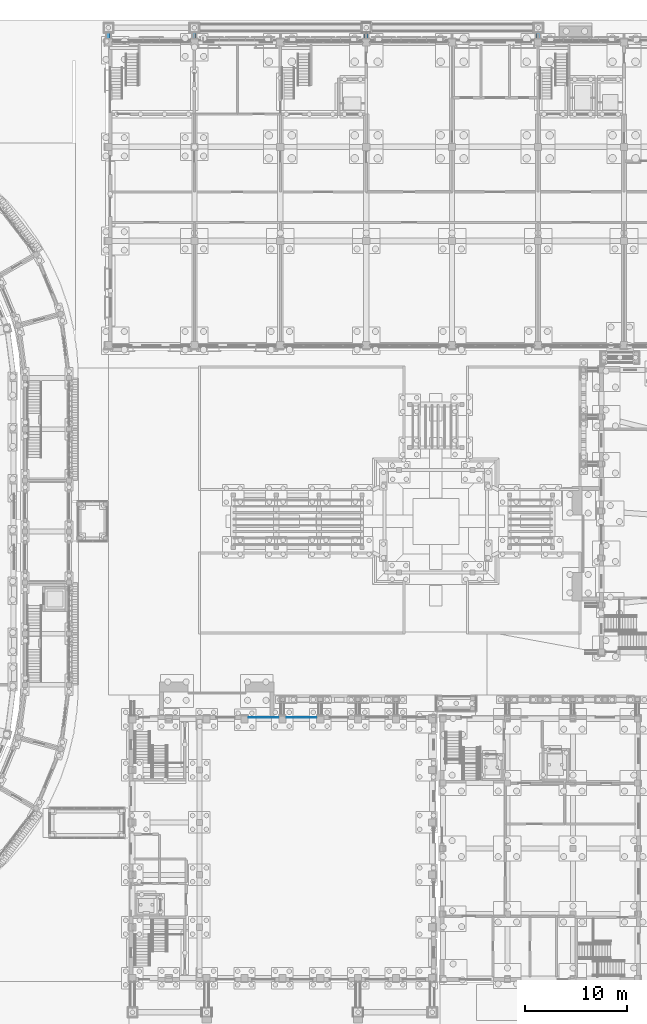
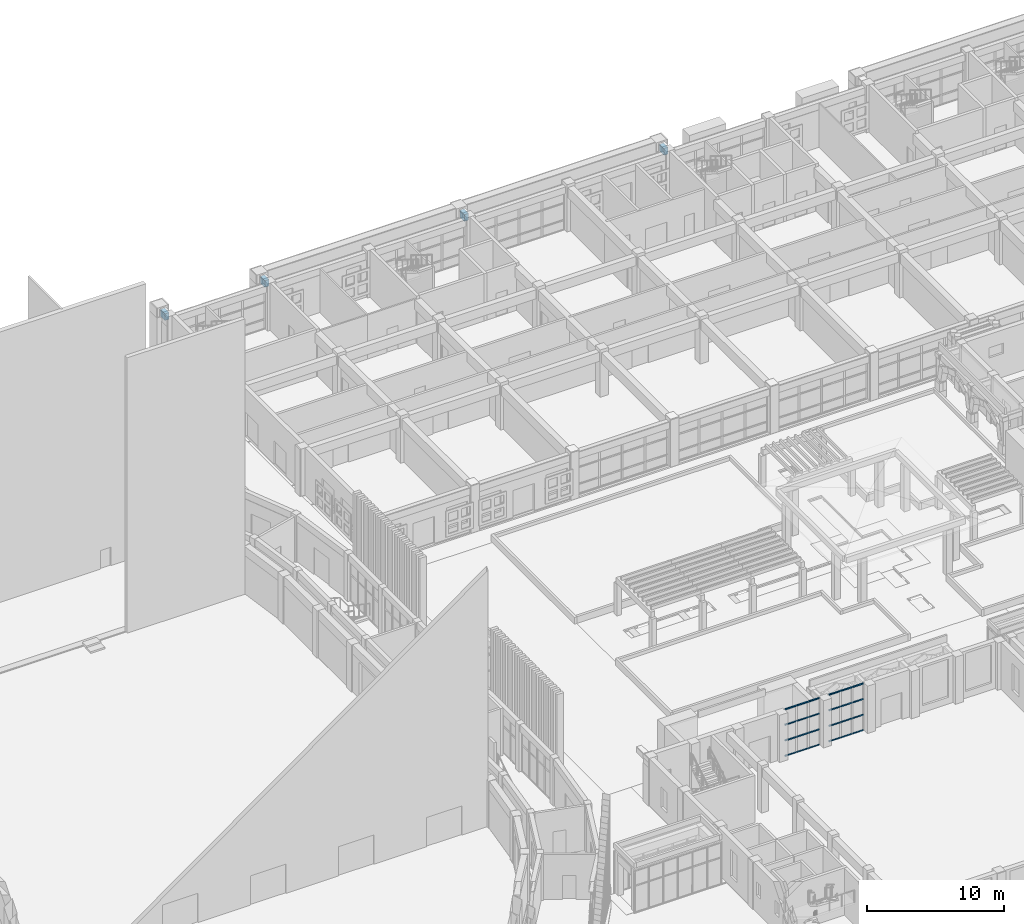
# One storey, part 44 of 112: 24 members, 4 beams, 2 elements without a shape of their own.
"""IFC4 building model written with IfcOpenShell, lengths in metres."""

from ifc_helpers import new_model, si_unit, direction, frame, origin, origin_2d, place, context, subcontext, project, spatial, rectangle, extrude, material, layer, layer_set, material_profile, profile_set, type_object, element, aggregate, save


model = new_model("IFC4")

# Units and contexts
model_context = context("Model", 3, precision=1e-05, world=origin(), true_north=direction((0.0, 1.0)))
body_context = subcontext(model_context, "Body", "Model", "MODEL_VIEW")
ifc_project = project(units=[si_unit("LENGTHUNIT", "METRE"), si_unit("AREAUNIT", "SQUARE_METRE"), si_unit("VOLUMEUNIT", "CUBIC_METRE"), si_unit("PLANEANGLEUNIT", "RADIAN"), si_unit("MASSUNIT", "GRAM", prefix="KILO")], contexts=[model_context])

# Site, building, storey
site_placement = place(None, origin())
site = spatial("IfcSite", under=ifc_project, at=site_placement, CompositionType="ELEMENT")
building_placement = place(site_placement, origin())
building = spatial("IfcBuilding", under=site, at=building_placement, Name="Wasatch Bagh Community Centre", CompositionType="ELEMENT")
storey_placement = place(building_placement, origin())
storey = spatial("IfcBuildingStorey", under=building, at=storey_placement, Name="L00", CompositionType="ELEMENT", Elevation=0.0)

# Beams
ifc_material_1 = material(Name="Concrete C35", Category="concrete")
ifc_material_profile_1 = material_profile(ifc_material_1, rectangle(XDim=0.35009765625, YDim=0.60009765625, at=origin_2d()), Name="RC 350x600")
ifc_profile_set_1 = profile_set([ifc_material_profile_1], Name="Concrete C35")
beam_type = type_object("IfcBeamType", Name="CL-B4", PredefinedType="BEAM", material=ifc_profile_set_1)
for number, where, z_axis, x_axis, name in (
    (1, (64.0, 98.14990234375, 3.699951171875), (0.0, 1.0, 0.0), (-1.0, 0.0, 0.0), "CL-B4 tie LWP01.1"),
    (2, (72.39990234375, 98.14990234375, 3.699951171875), (0.0, 1.0, 0.0), (-1.0, 0.0, 0.0), "CL-B4 tie LWP02.1"),
    (3, (89.199951171875, 98.14990234375, 3.699951171875), (0.0, 1.0, 0.0), (-1.0, 0.0, 0.0), "CL-B4 tie LWP03.1"),
    (4, (106.0, 98.14990234375, 3.699951171875), (0.0, 1.0, 0.0), (-1.0, 0.0, 0.0), "CL-B4 tie LWP04.1"),
):
    element("IfcBeam", number, at=place(storey_placement, frame(where, z_axis=z_axis, x_axis=x_axis)), inside=storey, type_object=beam_type, Name=name, PredefinedType="BEAM", context=body_context, shape_type="SweptSolid", body=[
        extrude(rectangle(XDim=0.35009765625, YDim=0.60009765625, at=origin_2d()), origin(), (0.0, 0.0, 1.0), 0.650146484375),
    ])

# Curtain wall, members
ifc_material_2 = material(Name="Aluminium alloy 6063-T6", Category="aluminium")
ifc_layer = layer(ifc_material_2, 0.10009765625)
ifc_layer_set = layer_set([ifc_layer], Name="Aluminium alloy 6063-T6")
curtain_wall_type = type_object("IfcCurtainWallType", Name="DH-CW1", PredefinedType="NOTDEFINED", material=ifc_layer_set)
curtain_wall_1_placement = place(storey_placement, origin())
curtain_wall_1 = element("IfcCurtainWall", 5, at=curtain_wall_1_placement, inside=storey, type_object=curtain_wall_type, Name="Curtain wall DH-CW1", PredefinedType="NOTDEFINED")
ifc_material_profile_2 = material_profile(ifc_material_2, rectangle(XDim=0.06005859375, YDim=0.1201171875, at=origin_2d()), Name="AL 60x120")
ifc_profile_set_2 = profile_set([ifc_material_profile_2], Name="Aluminium alloy 6063-T6")
member_type = type_object("IfcMemberType", Name="DH-CW1 transom", PredefinedType="USERDEFINED", material=ifc_profile_set_2)
member_1_placement = place(storey_placement, frame((77.7099609375, 31.800048828125, 0.030029296875), z_axis=(1.0, 0.0, 0.0), x_axis=(0.0, 1.0, 0.0)))
member_1 = element("IfcMember", 6, at=member_1_placement, type_object=member_type, Name="DH-CW1 transom 1.1", ObjectType="TRANSOM", PredefinedType="USERDEFINED", context=body_context, shape_type="SweptSolid", body=[
    extrude(rectangle(XDim=0.06005859375, YDim=0.1201171875, at=origin_2d()), origin(), (0.0, 0.0, 1.0), 0.91015625),
])
member_2_placement = place(storey_placement, frame((77.7099609375, 31.800048828125, 1.39990234375), z_axis=(1.0, 0.0, 0.0), x_axis=(0.0, 1.0, 0.0)))
member_2 = element("IfcMember", 7, at=member_2_placement, type_object=member_type, Name="DH-CW1 transom 1.2", ObjectType="TRANSOM", PredefinedType="USERDEFINED", context=body_context, shape_type="SweptSolid", body=[
    extrude(rectangle(XDim=0.06005859375, YDim=0.1201171875, at=origin_2d()), origin(), (0.0, 0.0, 1.0), 0.91015625),
])
member_3_placement = place(storey_placement, frame((77.7099609375, 31.800048828125, 2.800048828125), z_axis=(1.0, 0.0, 0.0), x_axis=(0.0, 1.0, 0.0)))
member_3 = element("IfcMember", 8, at=member_3_placement, type_object=member_type, Name="DH-CW1 transom 1.3", ObjectType="TRANSOM", PredefinedType="USERDEFINED", context=body_context, shape_type="SweptSolid", body=[
    extrude(rectangle(XDim=0.06005859375, YDim=0.1201171875, at=origin_2d()), origin(), (0.0, 0.0, 1.0), 0.91015625),
])
member_4_placement = place(storey_placement, frame((77.7099609375, 31.800048828125, 4.169921875), z_axis=(1.0, 0.0, 0.0), x_axis=(0.0, 1.0, 0.0)))
member_4 = element("IfcMember", 9, at=member_4_placement, type_object=member_type, Name="DH-CW1 transom 1.4", ObjectType="TRANSOM", PredefinedType="USERDEFINED", context=body_context, shape_type="SweptSolid", body=[
    extrude(rectangle(XDim=0.06005859375, YDim=0.1201171875, at=origin_2d()), origin(), (0.0, 0.0, 1.0), 0.91015625),
])
member_5_placement = place(storey_placement, frame((78.679931640625, 31.800048828125, 0.030029296875), z_axis=(1.0, 0.0, 0.0), x_axis=(0.0, 1.0, 0.0)))
member_5 = element("IfcMember", 10, at=member_5_placement, type_object=member_type, Name="DH-CW1 transom 2.1", ObjectType="TRANSOM", PredefinedType="USERDEFINED", context=body_context, shape_type="SweptSolid", body=[
    extrude(rectangle(XDim=0.06005859375, YDim=0.1201171875, at=origin_2d()), origin(), (0.0, 0.0, 1.0), 0.940185546875),
])
member_6_placement = place(storey_placement, frame((78.679931640625, 31.800048828125, 1.39990234375), z_axis=(1.0, 0.0, 0.0), x_axis=(0.0, 1.0, 0.0)))
member_6 = element("IfcMember", 11, at=member_6_placement, type_object=member_type, Name="DH-CW1 transom 2.2", ObjectType="TRANSOM", PredefinedType="USERDEFINED", context=body_context, shape_type="SweptSolid", body=[
    extrude(rectangle(XDim=0.06005859375, YDim=0.1201171875, at=origin_2d()), origin(), (0.0, 0.0, 1.0), 0.940185546875),
])
member_7_placement = place(storey_placement, frame((78.679931640625, 31.800048828125, 2.800048828125), z_axis=(1.0, 0.0, 0.0), x_axis=(0.0, 1.0, 0.0)))
member_7 = element("IfcMember", 12, at=member_7_placement, type_object=member_type, Name="DH-CW1 transom 2.3", ObjectType="TRANSOM", PredefinedType="USERDEFINED", context=body_context, shape_type="SweptSolid", body=[
    extrude(rectangle(XDim=0.06005859375, YDim=0.1201171875, at=origin_2d()), origin(), (0.0, 0.0, 1.0), 0.940185546875),
])
member_8_placement = place(storey_placement, frame((78.679931640625, 31.800048828125, 4.169921875), z_axis=(1.0, 0.0, 0.0), x_axis=(0.0, 1.0, 0.0)))
member_8 = element("IfcMember", 13, at=member_8_placement, type_object=member_type, Name="DH-CW1 transom 2.4", ObjectType="TRANSOM", PredefinedType="USERDEFINED", context=body_context, shape_type="SweptSolid", body=[
    extrude(rectangle(XDim=0.06005859375, YDim=0.1201171875, at=origin_2d()), origin(), (0.0, 0.0, 1.0), 0.940185546875),
])
member_9_placement = place(storey_placement, frame((79.679931640625, 31.800048828125, 0.030029296875), z_axis=(1.0, 0.0, 0.0), x_axis=(0.0, 1.0, 0.0)))
member_9 = element("IfcMember", 14, at=member_9_placement, type_object=member_type, Name="DH-CW1 transom 3.1", ObjectType="TRANSOM", PredefinedType="USERDEFINED", context=body_context, shape_type="SweptSolid", body=[
    extrude(rectangle(XDim=0.06005859375, YDim=0.1201171875, at=origin_2d()), origin(), (0.0, 0.0, 1.0), 0.91015625),
])
member_10_placement = place(storey_placement, frame((79.679931640625, 31.800048828125, 1.39990234375), z_axis=(1.0, 0.0, 0.0), x_axis=(0.0, 1.0, 0.0)))
member_10 = element("IfcMember", 15, at=member_10_placement, type_object=member_type, Name="DH-CW1 transom 3.2", ObjectType="TRANSOM", PredefinedType="USERDEFINED", context=body_context, shape_type="SweptSolid", body=[
    extrude(rectangle(XDim=0.06005859375, YDim=0.1201171875, at=origin_2d()), origin(), (0.0, 0.0, 1.0), 0.91015625),
])
member_11_placement = place(storey_placement, frame((79.679931640625, 31.800048828125, 2.800048828125), z_axis=(1.0, 0.0, 0.0), x_axis=(0.0, 1.0, 0.0)))
member_11 = element("IfcMember", 16, at=member_11_placement, type_object=member_type, Name="DH-CW1 transom 3.3", ObjectType="TRANSOM", PredefinedType="USERDEFINED", context=body_context, shape_type="SweptSolid", body=[
    extrude(rectangle(XDim=0.06005859375, YDim=0.1201171875, at=origin_2d()), origin(), (0.0, 0.0, 1.0), 0.91015625),
])
member_12_placement = place(storey_placement, frame((79.679931640625, 31.800048828125, 4.169921875), z_axis=(1.0, 0.0, 0.0), x_axis=(0.0, 1.0, 0.0)))
member_12 = element("IfcMember", 17, at=member_12_placement, type_object=member_type, Name="DH-CW1 transom 3.4", ObjectType="TRANSOM", PredefinedType="USERDEFINED", context=body_context, shape_type="SweptSolid", body=[
    extrude(rectangle(XDim=0.06005859375, YDim=0.1201171875, at=origin_2d()), origin(), (0.0, 0.0, 1.0), 0.91015625),
])
aggregate(curtain_wall_1, [member_1, member_2, member_3, member_4, member_5, member_6, member_7, member_8, member_9, member_10, member_11, member_12])

curtain_wall_2_placement = place(storey_placement, origin())
curtain_wall_2 = element("IfcCurtainWall", 18, at=curtain_wall_2_placement, inside=storey, type_object=curtain_wall_type, Name="Curtain wall DH-CW1", PredefinedType="NOTDEFINED")
member_13_placement = place(storey_placement, frame((81.409912109375, 31.800048828125, 0.030029296875), z_axis=(1.0, 0.0, 0.0), x_axis=(0.0, 1.0, 0.0)))
member_13 = element("IfcMember", 19, at=member_13_placement, type_object=member_type, Name="DH-CW1 transom 1.1", ObjectType="TRANSOM", PredefinedType="USERDEFINED", context=body_context, shape_type="SweptSolid", body=[
    extrude(rectangle(XDim=0.06005859375, YDim=0.1201171875, at=origin_2d()), origin(), (0.0, 0.0, 1.0), 0.91015625),
])
member_14_placement = place(storey_placement, frame((81.409912109375, 31.800048828125, 1.39990234375), z_axis=(1.0, 0.0, 0.0), x_axis=(0.0, 1.0, 0.0)))
member_14 = element("IfcMember", 20, at=member_14_placement, type_object=member_type, Name="DH-CW1 transom 1.2", ObjectType="TRANSOM", PredefinedType="USERDEFINED", context=body_context, shape_type="SweptSolid", body=[
    extrude(rectangle(XDim=0.06005859375, YDim=0.1201171875, at=origin_2d()), origin(), (0.0, 0.0, 1.0), 0.91015625),
])
member_15_placement = place(storey_placement, frame((81.409912109375, 31.800048828125, 2.800048828125), z_axis=(1.0, 0.0, 0.0), x_axis=(0.0, 1.0, 0.0)))
member_15 = element("IfcMember", 21, at=member_15_placement, type_object=member_type, Name="DH-CW1 transom 1.3", ObjectType="TRANSOM", PredefinedType="USERDEFINED", context=body_context, shape_type="SweptSolid", body=[
    extrude(rectangle(XDim=0.06005859375, YDim=0.1201171875, at=origin_2d()), origin(), (0.0, 0.0, 1.0), 0.91015625),
])
member_16_placement = place(storey_placement, frame((81.409912109375, 31.800048828125, 4.169921875), z_axis=(1.0, 0.0, 0.0), x_axis=(0.0, 1.0, 0.0)))
member_16 = element("IfcMember", 22, at=member_16_placement, type_object=member_type, Name="DH-CW1 transom 1.4", ObjectType="TRANSOM", PredefinedType="USERDEFINED", context=body_context, shape_type="SweptSolid", body=[
    extrude(rectangle(XDim=0.06005859375, YDim=0.1201171875, at=origin_2d()), origin(), (0.0, 0.0, 1.0), 0.91015625),
])
member_17_placement = place(storey_placement, frame((82.3798828125, 31.800048828125, 0.030029296875), z_axis=(1.0, 0.0, 0.0), x_axis=(0.0, 1.0, 0.0)))
member_17 = element("IfcMember", 23, at=member_17_placement, type_object=member_type, Name="DH-CW1 transom 2.1", ObjectType="TRANSOM", PredefinedType="USERDEFINED", context=body_context, shape_type="SweptSolid", body=[
    extrude(rectangle(XDim=0.06005859375, YDim=0.1201171875, at=origin_2d()), origin(), (0.0, 0.0, 1.0), 0.940185546875),
])
member_18_placement = place(storey_placement, frame((82.3798828125, 31.800048828125, 1.39990234375), z_axis=(1.0, 0.0, 0.0), x_axis=(0.0, 1.0, 0.0)))
member_18 = element("IfcMember", 24, at=member_18_placement, type_object=member_type, Name="DH-CW1 transom 2.2", ObjectType="TRANSOM", PredefinedType="USERDEFINED", context=body_context, shape_type="SweptSolid", body=[
    extrude(rectangle(XDim=0.06005859375, YDim=0.1201171875, at=origin_2d()), origin(), (0.0, 0.0, 1.0), 0.940185546875),
])
member_19_placement = place(storey_placement, frame((82.3798828125, 31.800048828125, 2.800048828125), z_axis=(1.0, 0.0, 0.0), x_axis=(0.0, 1.0, 0.0)))
member_19 = element("IfcMember", 25, at=member_19_placement, type_object=member_type, Name="DH-CW1 transom 2.3", ObjectType="TRANSOM", PredefinedType="USERDEFINED", context=body_context, shape_type="SweptSolid", body=[
    extrude(rectangle(XDim=0.06005859375, YDim=0.1201171875, at=origin_2d()), origin(), (0.0, 0.0, 1.0), 0.940185546875),
])
member_20_placement = place(storey_placement, frame((82.3798828125, 31.800048828125, 4.169921875), z_axis=(1.0, 0.0, 0.0), x_axis=(0.0, 1.0, 0.0)))
member_20 = element("IfcMember", 26, at=member_20_placement, type_object=member_type, Name="DH-CW1 transom 2.4", ObjectType="TRANSOM", PredefinedType="USERDEFINED", context=body_context, shape_type="SweptSolid", body=[
    extrude(rectangle(XDim=0.06005859375, YDim=0.1201171875, at=origin_2d()), origin(), (0.0, 0.0, 1.0), 0.940185546875),
])
member_21_placement = place(storey_placement, frame((83.3798828125, 31.800048828125, 0.030029296875), z_axis=(1.0, 0.0, 0.0), x_axis=(0.0, 1.0, 0.0)))
member_21 = element("IfcMember", 27, at=member_21_placement, type_object=member_type, Name="DH-CW1 transom 3.1", ObjectType="TRANSOM", PredefinedType="USERDEFINED", context=body_context, shape_type="SweptSolid", body=[
    extrude(rectangle(XDim=0.06005859375, YDim=0.1201171875, at=origin_2d()), origin(), (0.0, 0.0, 1.0), 0.91015625),
])
member_22_placement = place(storey_placement, frame((83.3798828125, 31.800048828125, 1.39990234375), z_axis=(1.0, 0.0, 0.0), x_axis=(0.0, 1.0, 0.0)))
member_22 = element("IfcMember", 28, at=member_22_placement, type_object=member_type, Name="DH-CW1 transom 3.2", ObjectType="TRANSOM", PredefinedType="USERDEFINED", context=body_context, shape_type="SweptSolid", body=[
    extrude(rectangle(XDim=0.06005859375, YDim=0.1201171875, at=origin_2d()), origin(), (0.0, 0.0, 1.0), 0.91015625),
])
member_23_placement = place(storey_placement, frame((83.3798828125, 31.800048828125, 2.800048828125), z_axis=(1.0, 0.0, 0.0), x_axis=(0.0, 1.0, 0.0)))
member_23 = element("IfcMember", 29, at=member_23_placement, type_object=member_type, Name="DH-CW1 transom 3.3", ObjectType="TRANSOM", PredefinedType="USERDEFINED", context=body_context, shape_type="SweptSolid", body=[
    extrude(rectangle(XDim=0.06005859375, YDim=0.1201171875, at=origin_2d()), origin(), (0.0, 0.0, 1.0), 0.91015625),
])
member_24_placement = place(storey_placement, frame((83.3798828125, 31.800048828125, 4.169921875), z_axis=(1.0, 0.0, 0.0), x_axis=(0.0, 1.0, 0.0)))
member_24 = element("IfcMember", 30, at=member_24_placement, type_object=member_type, Name="DH-CW1 transom 3.4", ObjectType="TRANSOM", PredefinedType="USERDEFINED", context=body_context, shape_type="SweptSolid", body=[
    extrude(rectangle(XDim=0.06005859375, YDim=0.1201171875, at=origin_2d()), origin(), (0.0, 0.0, 1.0), 0.91015625),
])
aggregate(curtain_wall_2, [member_13, member_14, member_15, member_16, member_17, member_18, member_19, member_20, member_21, member_22, member_23, member_24])

save(model, "model.ifc")
